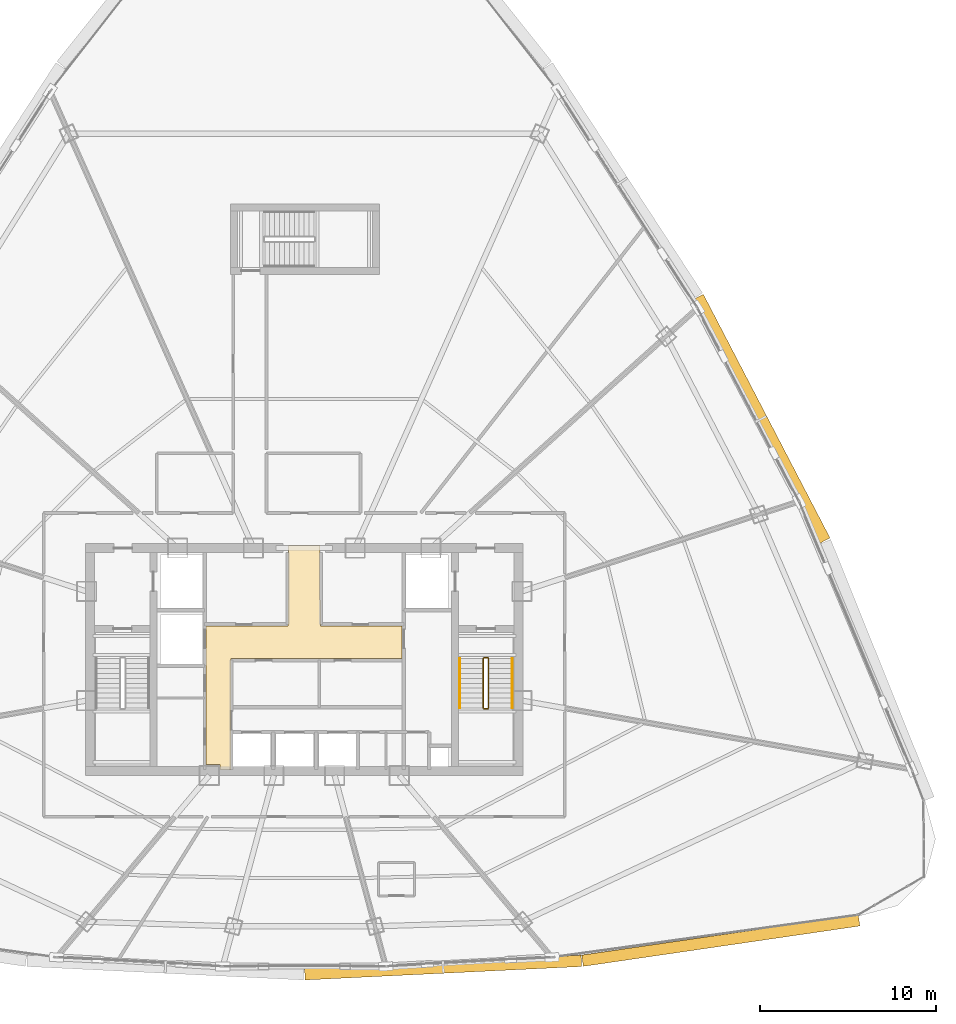
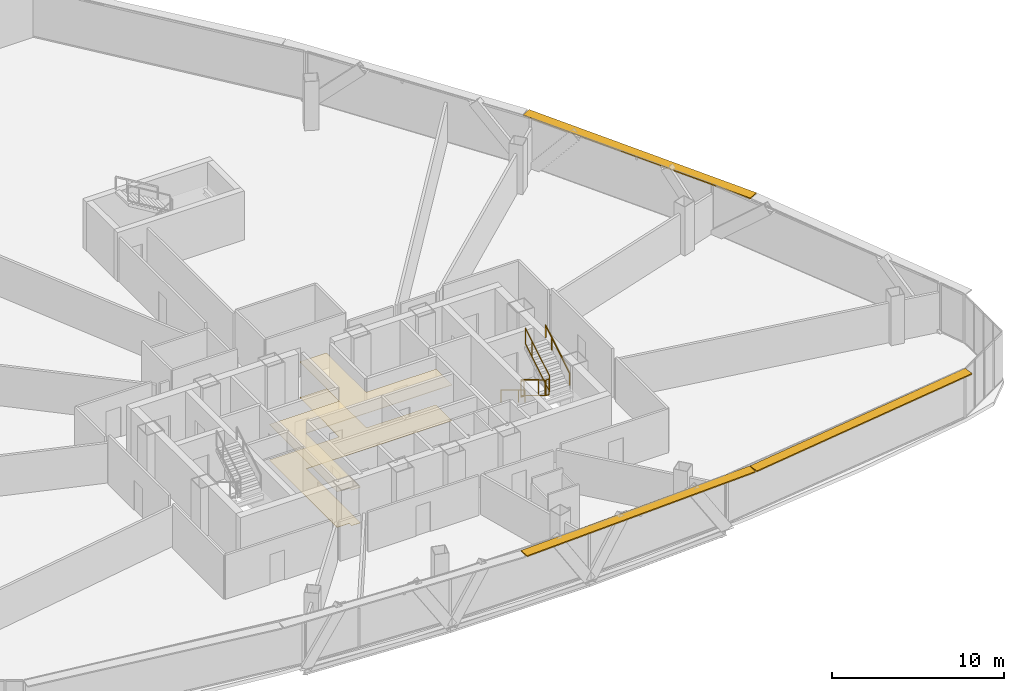
# One storey, part 35 of 37: 6 railings, 3 shading devices, 2 coverings.
"""IFC4 building model written with IfcOpenShell, lengths in metres."""

from ifc_helpers import new_model, si_unit, direction, frame, origin, origin_2d, place, context, subcontext, project, spatial, polyline, rectangle, outline, extrude, source, transform, mapped, material, layer, layer_set, type_object, element, save


model = new_model("IFC4")

# Units and contexts
model_context = context("Model", 3, precision=1e-05, world=origin(), true_north=direction((0.0, 1.0)))
body_context = subcontext(model_context, "Body", "Model", "MODEL_VIEW")
ifc_project = project(units=[si_unit("LENGTHUNIT", "METRE"), si_unit("AREAUNIT", "SQUARE_METRE"), si_unit("VOLUMEUNIT", "CUBIC_METRE"), si_unit("PLANEANGLEUNIT", "RADIAN"), si_unit("MASSUNIT", "GRAM", prefix="KILO"), si_unit("THERMODYNAMICTEMPERATUREUNIT", "KELVIN"), si_unit("POWERUNIT", "WATT")], contexts=[model_context])

# Site, building, storey
site_placement = place(None, origin())
site = spatial("IfcSite", under=ifc_project, at=site_placement, CompositionType="ELEMENT")
building_placement = place(site_placement, origin())
building = spatial("IfcBuilding", under=site, at=building_placement, Name="Yunzhuo Pagoda Commons", CompositionType="ELEMENT")
storey_placement = place(building_placement, frame((0.0, 0.0, 240.800048828125)))
storey = spatial("IfcBuildingStorey", under=building, at=storey_placement, Name="L60", CompositionType="ELEMENT", Elevation=240.800048828125)

# Coverings
ifc_material_1 = material(Name="Perforated gypsum acoustic ceiling tile")
ifc_layer_1 = layer(ifc_material_1, 0.030029296875)
ifc_layer_set_1 = layer_set([ifc_layer_1], Name="Perforated gypsum acoustic ceiling tile")
covering_type_1 = type_object("IfcCoveringType", Name="COV-CL2 Ceiling 30", PredefinedType="CEILING", material=ifc_layer_set_1)
covering_1_placement = place(storey_placement, frame((0.0, 0.0, 2.52001953125)))
element("IfcCovering", 1, at=covering_1_placement, inside=storey, type_object=covering_type_1, Name="L60 lift lobby acoustic ceiling", PredefinedType="CEILING", context=body_context, shape_type="SweptSolid", body=[
    extrude(outline(polyline([(42.39990234375, 35.75), (47.080078125, 35.75), (47.080078125, 37.25), (47.10009765625, 37.25), (47.10009765625, 40.35009765625), (48.89990234375, 40.35009765625), (48.89990234375, 37.25), (48.919921875, 37.25), (48.919921875, 35.75), (53.580078125, 35.75), (53.580078125, 33.89990234375), (43.820068359375, 33.89990234375), (43.820068359375, 27.60009765625), (43.207763671875, 27.60009765625), (43.207763671875, 27.85009765625), (43.201904296875, 27.864013671875), (43.187744140625, 27.8701171875), (42.39990234375, 27.8701171875), (42.39990234375, 33.89990234375), (42.39990234375, 35.75)])), origin(), (0.0, 0.0, 1.0), 0.030029296875),
])
ifc_material_2 = material(Name="Resilient acoustic studio flooring")
ifc_layer_2 = layer(ifc_material_2, 0.01806640625)
ifc_layer_set_2 = layer_set([ifc_layer_2], Name="Resilient acoustic studio flooring")
covering_type_2 = type_object("IfcCoveringType", Name="COV-FL3 Flooring 18", PredefinedType="FLOORING", material=ifc_layer_set_2)
covering_2_placement = place(storey_placement, origin())
element("IfcCovering", 2, at=covering_2_placement, inside=storey, type_object=covering_type_2, Name="L60 lift lobby flooring", PredefinedType="FLOORING", context=body_context, shape_type="SweptSolid", body=[
    extrude(outline(polyline([(42.39990234375, 35.75), (47.080078125, 35.75), (47.080078125, 37.25), (47.10009765625, 37.25), (47.10009765625, 40.35009765625), (48.89990234375, 40.35009765625), (48.89990234375, 37.25), (48.919921875, 37.25), (48.919921875, 35.75), (53.580078125, 35.75), (53.580078125, 33.89990234375), (43.820068359375, 33.89990234375), (43.820068359375, 27.60009765625), (43.207763671875, 27.60009765625), (43.207763671875, 27.85009765625), (43.201904296875, 27.864013671875), (43.187744140625, 27.8701171875), (42.39990234375, 27.8701171875), (42.39990234375, 33.89990234375), (42.39990234375, 35.75)])), origin(), (0.0, 0.0, 1.0), 0.01806640625),
])

# Railings
ifc_material_3 = material(Name="Anodized aluminium 6063-T6", Category="aluminium")
railing_type_1 = type_object("IfcRailingType", Name="GR-ST2 Stair Well Guardrail 1160", PredefinedType="GUARDRAIL", material=ifc_material_3)
railing_1_placement = place(storey_placement, frame((58.199951171875, 33.89990234375, 0.16943359375)))
element("IfcRailing", 3, at=railing_1_placement, inside=storey, type_object=railing_type_1, Name="L60 ST2 stair guard 1", PredefinedType="GUARDRAIL", context=body_context, shape_type="SweptSolid", body=[
    extrude(rectangle(XDim=0.048095703125, YDim=0.048095703125, at=origin_2d()), frame((0.0, 0.0, 1.1259765625), z_axis=(0.0, -0.855373106579, 0.518012401918), x_axis=(1.0, 0.0, 0.0)), (0.0, 0.0, 1.0), 3.273193359375),
    extrude(rectangle(XDim=0.048095703125, YDim=0.048095703125, at=origin_2d()), frame((0.0, 0.0, 0.02392578125), z_axis=(0.0, -0.855373106579, 0.518012401918), x_axis=(1.0, 0.0, 0.0)), (0.0, 0.0, 1.0), 3.273193359375),
    extrude(rectangle(XDim=0.0419921875, YDim=0.0419921875, at=origin_2d()), origin(), (0.0, 0.0, 1.0), 1.101806640625),
    extrude(rectangle(XDim=0.0419921875, YDim=0.0419921875, at=origin_2d()), frame((0.0, -2.052978515625, 1.2431640625)), (0.0, 0.0, 1.0), 1.101806640625),
    extrude(rectangle(XDim=0.0419921875, YDim=0.0419921875, at=origin_2d()), frame((0.0, -2.7998046875, 1.695556640625)), (0.0, 0.0, 1.0), 1.101806640625),
])
railing_2_placement = place(storey_placement, frame((58.25, 31.050048828125, 1.864990234375)))
element("IfcRailing", 4, at=railing_2_placement, inside=storey, type_object=railing_type_1, Name="L60 ST2 stair guard 2", PredefinedType="GUARDRAIL", context=body_context, shape_type="SweptSolid", body=[
    extrude(rectangle(XDim=0.048095703125, YDim=0.048095703125, at=origin_2d()), frame((0.0, 0.0, 1.1259765625), z_axis=(1.0, 0.0, 0.0), x_axis=(0.0, 1.0, 0.0)), (0.0, 0.0, 1.0), 0.199951171875),
    extrude(rectangle(XDim=0.048095703125, YDim=0.048095703125, at=origin_2d()), frame((0.0, 0.0, 0.02392578125), z_axis=(1.0, 0.0, 0.0), x_axis=(0.0, 1.0, 0.0)), (0.0, 0.0, 1.0), 0.199951171875),
    extrude(rectangle(XDim=0.0419921875, YDim=0.0419921875, at=origin_2d()), origin(), (0.0, 0.0, 1.0), 1.101806640625),
    extrude(rectangle(XDim=0.0419921875, YDim=0.0419921875, at=origin_2d()), frame((0.199951171875, 0.0, 0.0)), (0.0, 0.0, 1.0), 1.101806640625),
])
railing_3_placement = place(storey_placement, frame((58.5, 31.10009765625, 2.034423828125)))
element("IfcRailing", 5, at=railing_3_placement, inside=storey, type_object=railing_type_1, Name="L60 ST2 stair guard 3", PredefinedType="GUARDRAIL", context=body_context, shape_type="SweptSolid", body=[
    extrude(rectangle(XDim=0.048095703125, YDim=0.048095703125, at=origin_2d()), frame((0.0, 0.0, 1.1259765625), z_axis=(0.0, 0.855373106579, 0.518012401918), x_axis=(-1.0, 0.0, 0.0)), (0.0, 0.0, 1.0), 3.273193359375),
    extrude(rectangle(XDim=0.048095703125, YDim=0.048095703125, at=origin_2d()), frame((0.0, 0.0, 0.02392578125), z_axis=(0.0, 0.855373106579, 0.518012401918), x_axis=(-1.0, 0.0, 0.0)), (0.0, 0.0, 1.0), 3.273193359375),
    extrude(rectangle(XDim=0.0419921875, YDim=0.0419921875, at=origin_2d()), origin(), (0.0, 0.0, 1.0), 1.101806640625),
    extrude(rectangle(XDim=0.0419921875, YDim=0.0419921875, at=origin_2d()), frame((0.0, 2.052978515625, 1.2431640625)), (0.0, 0.0, 1.0), 1.101806640625),
    extrude(rectangle(XDim=0.0419921875, YDim=0.0419921875, at=origin_2d()), frame((0.0, 2.7998046875, 1.695556640625)), (0.0, 0.0, 1.0), 1.101806640625),
])
railing_4_placement = place(storey_placement, frame((58.25, 33.949951171875, 0.0)))
element("IfcRailing", 6, at=railing_4_placement, inside=storey, type_object=railing_type_1, Name="L60 ST2 stair guard 4", PredefinedType="GUARDRAIL", context=body_context, shape_type="SweptSolid", body=[
    extrude(rectangle(XDim=0.048095703125, YDim=0.048095703125, at=origin_2d()), frame((0.0, 0.0, 1.1259765625), z_axis=(1.0, 0.0, 0.0), x_axis=(0.0, 1.0, 0.0)), (0.0, 0.0, 1.0), 0.199951171875),
    extrude(rectangle(XDim=0.048095703125, YDim=0.048095703125, at=origin_2d()), frame((0.0, 0.0, 0.02392578125), z_axis=(1.0, 0.0, 0.0), x_axis=(0.0, 1.0, 0.0)), (0.0, 0.0, 1.0), 0.199951171875),
    extrude(rectangle(XDim=0.0419921875, YDim=0.0419921875, at=origin_2d()), origin(), (0.0, 0.0, 1.0), 1.101806640625),
    extrude(rectangle(XDim=0.0419921875, YDim=0.0419921875, at=origin_2d()), frame((0.199951171875, 0.0, 0.0)), (0.0, 0.0, 1.0), 1.101806640625),
])
railing_type_2 = type_object("IfcRailingType", Name="HR-ST2 Stair Handrail 900", PredefinedType="HANDRAIL", material=ifc_material_3)
railing_5_placement = place(storey_placement, frame((56.85009765625, 33.89990234375, 0.16943359375)))
element("IfcRailing", 7, at=railing_5_placement, inside=storey, type_object=railing_type_2, Name="L60 ST2 stair handrail 1", PredefinedType="HANDRAIL", context=body_context, shape_type="SweptSolid", body=[
    extrude(rectangle(XDim=0.048095703125, YDim=0.048095703125, at=origin_2d()), frame((0.0, 0.0, 0.8759765625), z_axis=(0.0, -0.855373106579, 0.518012401918), x_axis=(1.0, 0.0, 0.0)), (0.0, 0.0, 1.0), 3.273193359375),
    extrude(rectangle(XDim=0.0419921875, YDim=0.0419921875, at=origin_2d()), origin(), (0.0, 0.0, 1.0), 0.851806640625),
    extrude(rectangle(XDim=0.0419921875, YDim=0.0419921875, at=origin_2d()), frame((0.0, -2.052978515625, 1.2431640625)), (0.0, 0.0, 1.0), 0.851806640625),
    extrude(rectangle(XDim=0.0419921875, YDim=0.0419921875, at=origin_2d()), frame((0.0, -2.7998046875, 1.695556640625)), (0.0, 0.0, 1.0), 0.851806640625),
])
railing_6_placement = place(storey_placement, frame((59.85009765625, 31.10009765625, 2.034423828125)))
element("IfcRailing", 8, at=railing_6_placement, inside=storey, type_object=railing_type_2, Name="L60 ST2 stair handrail 2", PredefinedType="HANDRAIL", context=body_context, shape_type="SweptSolid", body=[
    extrude(rectangle(XDim=0.048095703125, YDim=0.048095703125, at=origin_2d()), frame((0.0, 0.0, 0.8759765625), z_axis=(0.0, 0.855373106579, 0.518012401918), x_axis=(-1.0, 0.0, 0.0)), (0.0, 0.0, 1.0), 3.273193359375),
    extrude(rectangle(XDim=0.0419921875, YDim=0.0419921875, at=origin_2d()), origin(), (0.0, 0.0, 1.0), 0.851806640625),
    extrude(rectangle(XDim=0.0419921875, YDim=0.0419921875, at=origin_2d()), frame((0.0, 2.052978515625, 1.2431640625)), (0.0, 0.0, 1.0), 0.851806640625),
    extrude(rectangle(XDim=0.0419921875, YDim=0.0419921875, at=origin_2d()), frame((0.0, 2.7998046875, 1.695556640625)), (0.0, 0.0, 1.0), 0.851806640625),
])

# Shading devices
ifc_layer_3 = layer(ifc_material_3, 0.080078125)
ifc_layer_set_3 = layer_set([ifc_layer_3], Name="Anodized aluminium 6063-T6")
shading_device_type = type_object("IfcShadingDeviceType", Name="SH-SUN1 Pagoda Horizontal Sunshade Eave 650", PredefinedType="USERDEFINED", material=ifc_layer_set_3)
shared_shape_1 = source(origin(), body_context, "Body", "SweptSolid", [
    extrude(rectangle(XDim=15.924560546875, YDim=0.64990234375, at=origin_2d()), origin(), (0.0, 0.0, 1.0), 0.080078125),
])
shading_device_1_placement = place(storey_placement, frame((71.730224609375, 17.8427734375, 3.389892578125), z_axis=(0.0, 0.0, 1.0), x_axis=(0.989510666697, 0.144459823108, 0.0)))
element("IfcShadingDevice", 9, at=shading_device_1_placement, inside=storey, type_object=shading_device_type, Name="L60 horizontal pagoda sunshade eave F1.4", ObjectType="SUNSHADE", PredefinedType="USERDEFINED", context=body_context, shape_type="MappedRepresentation", body=[
    mapped(shared_shape_1, transform((0.0, 0.0, 0.0), scale=1.0)),
])
shared_shape_2 = source(origin(), body_context, "Body", "SweptSolid", [
    extrude(rectangle(XDim=15.77587890625, YDim=0.64990234375, at=origin_2d()), origin(), (0.0, 0.0, 1.0), 0.080078125),
])
shading_device_2_placement = place(storey_placement, frame((55.91015625, 16.302978515625, 3.389892578125), z_axis=(0.0, 0.0, 1.0), x_axis=(0.998818043775, 0.04860571396, 0.0)))
element("IfcShadingDevice", 10, at=shading_device_2_placement, inside=storey, type_object=shading_device_type, Name="L60 horizontal pagoda sunshade eave F1.3", ObjectType="SUNSHADE", PredefinedType="USERDEFINED", context=body_context, shape_type="MappedRepresentation", body=[
    mapped(shared_shape_2, transform((0.0, 0.0, 0.0), scale=1.0)),
])
shared_shape_3 = source(origin(), body_context, "Body", "SweptSolid", [
    extrude(rectangle(XDim=15.646484375, YDim=0.64990234375, at=origin_2d()), origin(), (0.0, 0.0, 1.0), 0.080078125),
])
shading_device_3_placement = place(storey_placement, frame((74.056396484375, 47.569091796875, 3.389892578125), z_axis=(0.0, 0.0, 1.0), x_axis=(-0.461206683033, 0.88729273384, 0.0)))
element("IfcShadingDevice", 11, at=shading_device_3_placement, inside=storey, type_object=shading_device_type, Name="L60 horizontal pagoda sunshade eave F2.2", ObjectType="SUNSHADE", PredefinedType="USERDEFINED", context=body_context, shape_type="MappedRepresentation", body=[
    mapped(shared_shape_3, transform((0.0, 0.0, 0.0), scale=1.0)),
])

save(model, "model.ifc")
